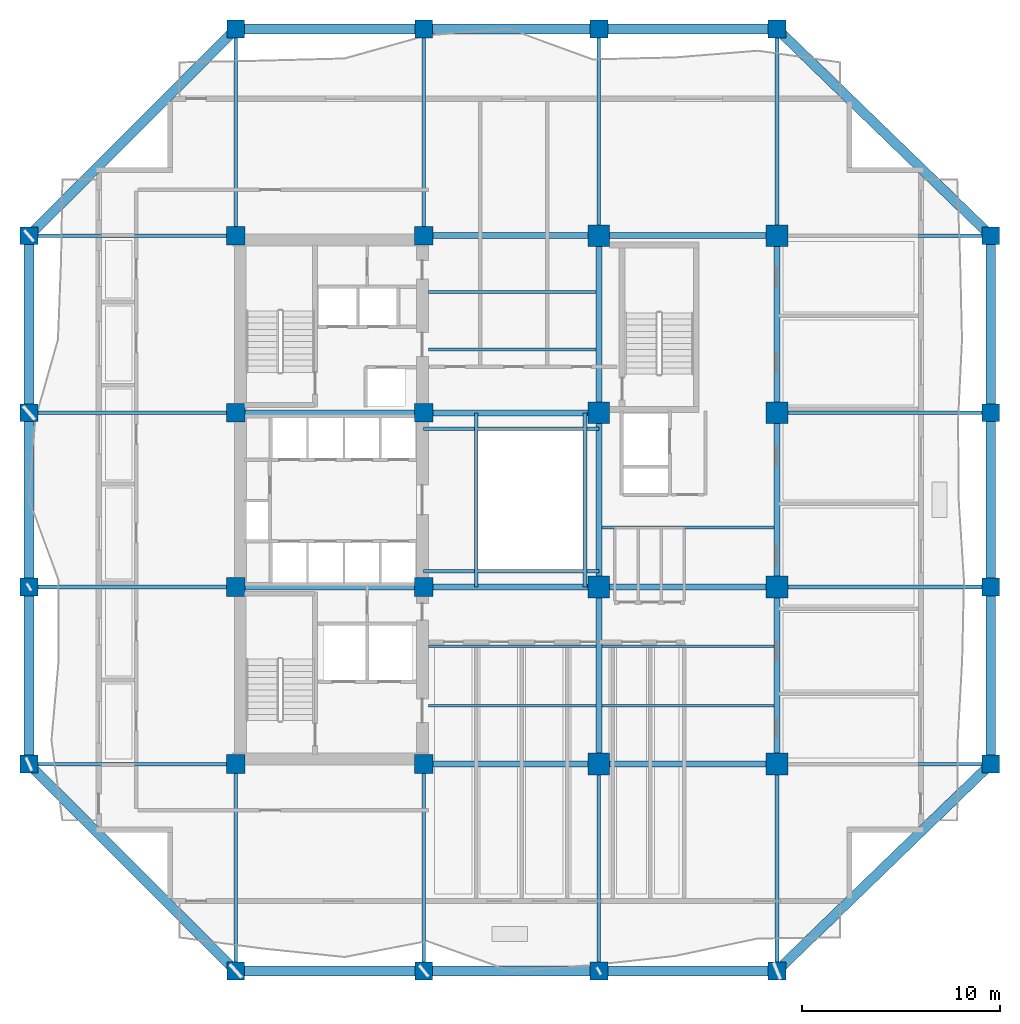
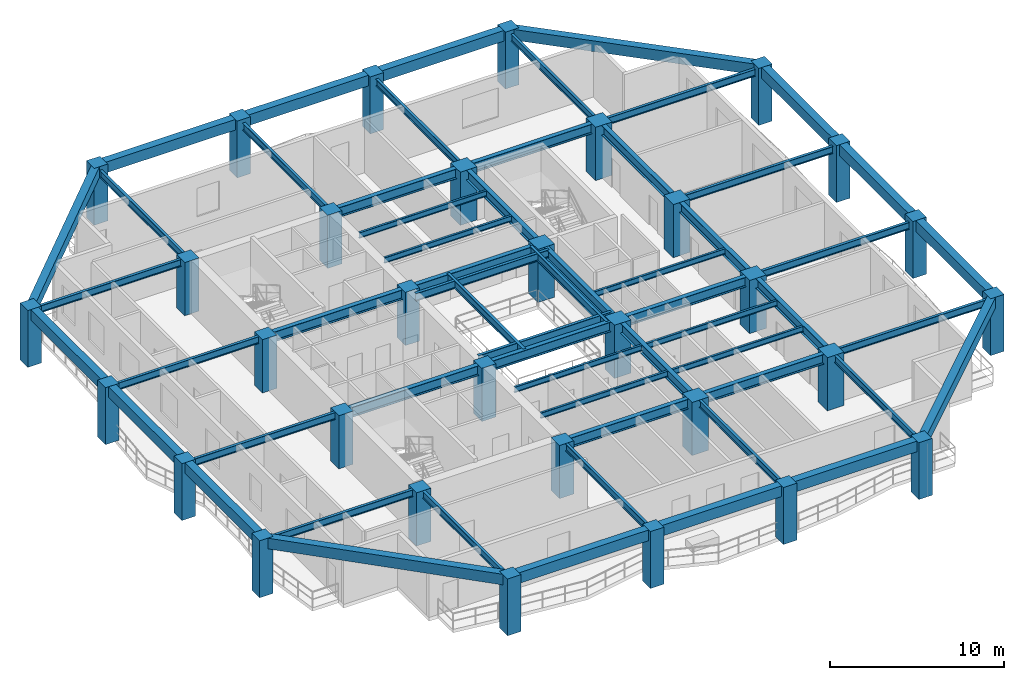
# One storey, part 1 of 11: 58 beams, 32 columns.
"""IFC4 building model written with IfcOpenShell, lengths in metres."""

from ifc_helpers import new_model, si_unit, direction, frame, origin, origin_2d, place, context, subcontext, project, spatial, rectangle, i_section, extrude, material, material_profile, profile_set, type_object, element, save


model = new_model("IFC4")

# Units and contexts
model_context = context("Model", 3, precision=1e-05, world=origin(), true_north=direction((0.0, 1.0)))
body_context = subcontext(model_context, "Body", "Model", "MODEL_VIEW")
ifc_project = project(units=[si_unit("LENGTHUNIT", "METRE"), si_unit("AREAUNIT", "SQUARE_METRE"), si_unit("VOLUMEUNIT", "CUBIC_METRE"), si_unit("PLANEANGLEUNIT", "RADIAN"), si_unit("MASSUNIT", "GRAM", prefix="KILO")], contexts=[model_context])

# Site, building, storey
site_placement = place(None, origin())
site = spatial("IfcSite", under=ifc_project, at=site_placement, CompositionType="ELEMENT")
building_placement = place(site_placement, origin())
building = spatial("IfcBuilding", under=site, at=building_placement, Name="Kundavana Baori Tower", CompositionType="ELEMENT")
storey_placement = place(building_placement, frame((0.0, 0.0, 82.0)))
storey = spatial("IfcBuildingStorey", under=building, at=storey_placement, Name="L19", CompositionType="ELEMENT", Elevation=82.0)

# Columns
ifc_material_1 = material(Name="Concrete C60/75", Category="concrete")
ifc_material_profile_1 = material_profile(ifc_material_1, rectangle(XDim=0.89990234375, YDim=0.89990234375, at=origin_2d()), Name="RC PF 900x900")
ifc_profile_set_1 = profile_set([ifc_material_profile_1], Name="Concrete C60/75")
column_type_1 = type_object("IfcColumnType", Name="COL-PF-900", PredefinedType="COLUMN", material=ifc_profile_set_1)
for number, where, z_axis, x_axis, name in (
    (1, (15.449951171875, 4.800048828125, 0.0), (0.0, 0.0, 1.0), (1.0, 0.0, 0.0), "L19 Stone-Clad Perimeter Frame Column PF-S1"),
    (2, (15.449951171875, 52.39990234375, 0.0), (0.0, 0.0, 1.0), (1.0, 0.0, 0.0), "L19 Stone-Clad Perimeter Frame Column PF-N1"),
    (3, (24.949951171875, 4.800048828125, 0.0), (0.0, 0.0, 1.0), (1.0, 0.0, 0.0), "L19 Stone-Clad Perimeter Frame Column PF-S2"),
    (4, (24.949951171875, 52.39990234375, 0.0), (0.0, 0.0, 1.0), (1.0, 0.0, 0.0), "L19 Stone-Clad Perimeter Frame Column PF-N2"),
    (5, (33.800048828125, 4.800048828125, 0.0), (0.0, 0.0, 1.0), (1.0, 0.0, 0.0), "L19 Stone-Clad Perimeter Frame Column PF-S3"),
    (6, (33.800048828125, 52.39990234375, 0.0), (0.0, 0.0, 1.0), (1.0, 0.0, 0.0), "L19 Stone-Clad Perimeter Frame Column PF-N3"),
    (7, (42.800048828125, 4.800048828125, 0.0), (0.0, 0.0, 1.0), (1.0, 0.0, 0.0), "L19 Stone-Clad Perimeter Frame Column PF-S4"),
    (8, (42.800048828125, 52.39990234375, 0.0), (0.0, 0.0, 1.0), (1.0, 0.0, 0.0), "L19 Stone-Clad Perimeter Frame Column PF-N4"),
    (9, (5.0, 15.25, 0.0), (0.0, 0.0, 1.0), (1.0, 0.0, 0.0), "L19 Stone-Clad Perimeter Frame Column PF-W1"),
    (10, (53.60009765625, 15.25, 0.0), (0.0, 0.0, 1.0), (1.0, 0.0, 0.0), "L19 Stone-Clad Perimeter Frame Column PF-E1"),
    (11, (5.0, 24.199951171875, 0.0), (0.0, 0.0, 1.0), (1.0, 0.0, 0.0), "L19 Stone-Clad Perimeter Frame Column PF-W2"),
    (12, (53.60009765625, 24.199951171875, 0.0), (0.0, 0.0, 1.0), (1.0, 0.0, 0.0), "L19 Stone-Clad Perimeter Frame Column PF-E2"),
    (13, (5.0, 33.0, 0.0), (0.0, 0.0, 1.0), (1.0, 0.0, 0.0), "L19 Stone-Clad Perimeter Frame Column PF-W3"),
    (14, (53.60009765625, 33.0, 0.0), (0.0, 0.0, 1.0), (1.0, 0.0, 0.0), "L19 Stone-Clad Perimeter Frame Column PF-E3"),
    (15, (5.0, 41.949951171875, 0.0), (0.0, 0.0, 1.0), (1.0, 0.0, 0.0), "L19 Stone-Clad Perimeter Frame Column PF-W4"),
    (16, (53.60009765625, 41.949951171875, 0.0), (0.0, 0.0, 1.0), (1.0, 0.0, 0.0), "L19 Stone-Clad Perimeter Frame Column PF-E4"),
):
    element("IfcColumn", number, at=place(storey_placement, frame(where, z_axis=z_axis, x_axis=x_axis)), inside=storey, type_object=column_type_1, Name=name, PredefinedType="COLUMN", context=body_context, shape_type="SweptSolid", body=[
        extrude(rectangle(XDim=0.89990234375, YDim=0.89990234375, at=origin_2d()), origin(), (0.0, 0.0, 1.0), 4.0),
    ])
ifc_material_2 = material(Name="Concrete C60/75", Category="concrete")
ifc_material_profile_2 = material_profile(ifc_material_2, rectangle(XDim=1.10009765625, YDim=1.10009765625, at=origin_2d()), Name="RC 1100x1100")
ifc_profile_set_2 = profile_set([ifc_material_profile_2], Name="Concrete C60/75")
column_type_2 = type_object("IfcColumnType", Name="COL-RC-1100", PredefinedType="COLUMN", material=ifc_profile_set_2)
for number, where, z_axis, x_axis, name in (
    (17, (33.800048828125, 15.25, 0.0), (0.0, 0.0, 1.0), (1.0, 0.0, 0.0), "L19 Interior Column IC-5C"),
    (18, (33.800048828125, 24.199951171875, 0.0), (0.0, 0.0, 1.0), (1.0, 0.0, 0.0), "L19 Interior Column IC-5D"),
    (19, (33.800048828125, 33.0, 0.0), (0.0, 0.0, 1.0), (1.0, 0.0, 0.0), "L19 Interior Column IC-5E"),
    (20, (33.800048828125, 41.949951171875, 0.0), (0.0, 0.0, 1.0), (1.0, 0.0, 0.0), "L19 Interior Column IC-5F"),
    (21, (42.800048828125, 15.25, 0.0), (0.0, 0.0, 1.0), (1.0, 0.0, 0.0), "L19 Interior Column IC-6C"),
    (22, (42.800048828125, 24.199951171875, 0.0), (0.0, 0.0, 1.0), (1.0, 0.0, 0.0), "L19 Interior Column IC-6D"),
    (23, (42.800048828125, 33.0, 0.0), (0.0, 0.0, 1.0), (1.0, 0.0, 0.0), "L19 Interior Column IC-6E"),
    (24, (42.800048828125, 41.949951171875, 0.0), (0.0, 0.0, 1.0), (1.0, 0.0, 0.0), "L19 Interior Column IC-6F"),
):
    element("IfcColumn", number, at=place(storey_placement, frame(where, z_axis=z_axis, x_axis=x_axis)), inside=storey, type_object=column_type_2, Name=name, PredefinedType="COLUMN", context=body_context, shape_type="SweptSolid", body=[
        extrude(rectangle(XDim=1.10009765625, YDim=1.10009765625, at=origin_2d()), origin(), (0.0, 0.0, 1.0), 3.739990234375),
    ])
ifc_material_3 = material(Name="Concrete C50/60", Category="concrete")
ifc_material_profile_3 = material_profile(ifc_material_3, rectangle(XDim=0.949951171875, YDim=0.949951171875, at=origin_2d()), Name="RC 950x950")
ifc_profile_set_3 = profile_set([ifc_material_profile_3], Name="Concrete C50/60")
column_type_3 = type_object("IfcColumnType", Name="COL-RC-950", PredefinedType="COLUMN", material=ifc_profile_set_3)
for number, where, z_axis, x_axis, name in (
    (25, (15.449951171875, 15.25, 0.0), (0.0, 0.0, 1.0), (1.0, 0.0, 0.0), "L19 Interior Column IC-3C"),
    (26, (15.449951171875, 24.199951171875, 0.0), (0.0, 0.0, 1.0), (1.0, 0.0, 0.0), "L19 Interior Column IC-3D"),
    (27, (15.449951171875, 33.0, 0.0), (0.0, 0.0, 1.0), (1.0, 0.0, 0.0), "L19 Interior Column IC-3E"),
    (28, (15.449951171875, 41.949951171875, 0.0), (0.0, 0.0, 1.0), (1.0, 0.0, 0.0), "L19 Interior Column IC-3F"),
    (29, (24.949951171875, 15.25, 0.0), (0.0, 0.0, 1.0), (1.0, 0.0, 0.0), "L19 Interior Column IC-4C"),
    (30, (24.949951171875, 24.199951171875, 0.0), (0.0, 0.0, 1.0), (1.0, 0.0, 0.0), "L19 Interior Column IC-4D"),
    (31, (24.949951171875, 33.0, 0.0), (0.0, 0.0, 1.0), (1.0, 0.0, 0.0), "L19 Interior Column IC-4E"),
    (32, (24.949951171875, 41.949951171875, 0.0), (0.0, 0.0, 1.0), (1.0, 0.0, 0.0), "L19 Interior Column IC-4F"),
):
    element("IfcColumn", number, at=place(storey_placement, frame(where, z_axis=z_axis, x_axis=x_axis)), inside=storey, type_object=column_type_3, Name=name, PredefinedType="COLUMN", context=body_context, shape_type="SweptSolid", body=[
        extrude(rectangle(XDim=0.949951171875, YDim=0.949951171875, at=origin_2d()), origin(), (0.0, 0.0, 1.0), 3.739990234375),
    ])

# Beams
ifc_material_4 = material(Name="Structural Steel S355JR", Category="steel")
ifc_material_profile_4 = material_profile(ifc_material_4, i_section(OverallWidth=0.139892578125, OverallDepth=0.39990234375, WebThickness=0.0087890625, FlangeThickness=0.01611328125, FilletRadius=0.013916015625, at=origin_2d()), Name="ISMB 400")
ifc_profile_set_4 = profile_set([ifc_material_profile_4], Name="Structural Steel S355JR")
beam_type_1 = type_object("IfcBeamType", Name="BM-JST-400", PredefinedType="JOIST", material=ifc_profile_set_4)
for number, where, z_axis, x_axis, name in (
    (33, (25.179931640625, 18.199951171875, 3.5400390625), (1.0, 0.0, 0.0), (0.0, 1.0, 0.0), "L19 Central Bay Composite Floor Joist C1"),
    (34, (25.179931640625, 21.199951171875, 3.5400390625), (1.0, 0.0, 0.0), (0.0, 1.0, 0.0), "L19 Central Bay Composite Floor Joist C2"),
    (35, (25.179931640625, 36.199951171875, 3.5400390625), (1.0, 0.0, 0.0), (0.0, 1.0, 0.0), "L19 Central Bay Composite Floor Joist C3"),
    (36, (25.179931640625, 39.10009765625, 3.5400390625), (1.0, 0.0, 0.0), (0.0, 1.0, 0.0), "L19 Central Bay Composite Floor Joist C4"),
):
    element("IfcBeam", number, at=place(storey_placement, frame(where, z_axis=z_axis, x_axis=x_axis)), inside=storey, type_object=beam_type_1, Name=name, PredefinedType="JOIST", context=body_context, shape_type="SweptSolid", body=[
        extrude(i_section(OverallWidth=0.139892578125, OverallDepth=0.39990234375, WebThickness=0.0087890625, FlangeThickness=0.01611328125, FilletRadius=0.013916015625, at=origin_2d()), origin(), (0.0, 0.0, 1.0), 8.469970703125),
    ])
for number, where, z_axis, x_axis, name in (
    (37, (33.949951171875, 18.199951171875, 3.5400390625), (1.0, 0.0, 0.0), (0.0, 1.0, 0.0), "L19 East Bay Composite Floor Joist E1"),
    (38, (33.949951171875, 21.199951171875, 3.5400390625), (1.0, 0.0, 0.0), (0.0, 1.0, 0.0), "L19 East Bay Composite Floor Joist E2"),
    (39, (33.949951171875, 27.199951171875, 3.5400390625), (1.0, 0.0, 0.0), (0.0, 1.0, 0.0), "L19 East Bay Composite Floor Joist E3"),
):
    element("IfcBeam", number, at=place(storey_placement, frame(where, z_axis=z_axis, x_axis=x_axis)), inside=storey, type_object=beam_type_1, Name=name, PredefinedType="JOIST", context=body_context, shape_type="SweptSolid", body=[
        extrude(i_section(OverallWidth=0.139892578125, OverallDepth=0.39990234375, WebThickness=0.0087890625, FlangeThickness=0.01611328125, FilletRadius=0.013916015625, at=origin_2d()), origin(), (0.0, 0.0, 1.0), 8.699951171875),
    ])
ifc_material_5 = material(Name="Concrete C50/60", Category="concrete")
ifc_material_profile_5 = material_profile(ifc_material_5, rectangle(XDim=0.5, YDim=0.75, at=origin_2d()), Name="RC BM 500x750")
ifc_profile_set_5 = profile_set([ifc_material_profile_5], Name="Concrete C50/60")
beam_type_2 = type_object("IfcBeamType", Name="BM-PF-750", PredefinedType="SPANDREL", material=ifc_profile_set_5)
beam_1_placement = place(storey_placement, frame((15.449951171875, 4.800048828125, 3.625), z_axis=(1.0, 0.0, 0.0), x_axis=(0.0, 1.0, 0.0)))
element("IfcBeam", 40, at=beam_1_placement, inside=storey, type_object=beam_type_2, Name="L19 Perimeter Frame Ring Beam S1", PredefinedType="SPANDREL", context=body_context, shape_type="SweptSolid", body=[
    extrude(rectangle(XDim=0.5, YDim=0.75, at=origin_2d()), origin(), (0.0, 0.0, 1.0), 9.5),
])
beam_2_placement = place(storey_placement, frame((24.949951171875, 4.800048828125, 3.625), z_axis=(1.0, 0.0, 0.0), x_axis=(0.0, 1.0, 0.0)))
element("IfcBeam", 41, at=beam_2_placement, inside=storey, type_object=beam_type_2, Name="L19 Perimeter Frame Ring Beam S2", PredefinedType="SPANDREL", context=body_context, shape_type="SweptSolid", body=[
    extrude(rectangle(XDim=0.5, YDim=0.75, at=origin_2d()), origin(), (0.0, 0.0, 1.0), 8.85009765625),
])
beam_3_placement = place(storey_placement, frame((33.800048828125, 4.800048828125, 3.625), z_axis=(1.0, 0.0, 0.0), x_axis=(0.0, 1.0, 0.0)))
element("IfcBeam", 42, at=beam_3_placement, inside=storey, type_object=beam_type_2, Name="L19 Perimeter Frame Ring Beam S3", PredefinedType="SPANDREL", context=body_context, shape_type="SweptSolid", body=[
    extrude(rectangle(XDim=0.5, YDim=0.75, at=origin_2d()), origin(), (0.0, 0.0, 1.0), 9.0),
])
beam_4_placement = place(storey_placement, frame((15.449951171875, 52.39990234375, 3.625), z_axis=(1.0, 0.0, 0.0), x_axis=(0.0, 1.0, 0.0)))
element("IfcBeam", 43, at=beam_4_placement, inside=storey, type_object=beam_type_2, Name="L19 Perimeter Frame Ring Beam N1", PredefinedType="SPANDREL", context=body_context, shape_type="SweptSolid", body=[
    extrude(rectangle(XDim=0.5, YDim=0.75, at=origin_2d()), origin(), (0.0, 0.0, 1.0), 9.5),
])
beam_5_placement = place(storey_placement, frame((24.949951171875, 52.39990234375, 3.625), z_axis=(1.0, 0.0, 0.0), x_axis=(0.0, 1.0, 0.0)))
element("IfcBeam", 44, at=beam_5_placement, inside=storey, type_object=beam_type_2, Name="L19 Perimeter Frame Ring Beam N2", PredefinedType="SPANDREL", context=body_context, shape_type="SweptSolid", body=[
    extrude(rectangle(XDim=0.5, YDim=0.75, at=origin_2d()), origin(), (0.0, 0.0, 1.0), 8.85009765625),
])
beam_6_placement = place(storey_placement, frame((33.800048828125, 52.39990234375, 3.625), z_axis=(1.0, 0.0, 0.0), x_axis=(0.0, 1.0, 0.0)))
element("IfcBeam", 45, at=beam_6_placement, inside=storey, type_object=beam_type_2, Name="L19 Perimeter Frame Ring Beam N3", PredefinedType="SPANDREL", context=body_context, shape_type="SweptSolid", body=[
    extrude(rectangle(XDim=0.5, YDim=0.75, at=origin_2d()), origin(), (0.0, 0.0, 1.0), 9.0),
])
beam_7_placement = place(storey_placement, frame((5.0, 15.25, 3.625), z_axis=(0.0, 1.0, 0.0), x_axis=(-1.0, 0.0, 0.0)))
element("IfcBeam", 46, at=beam_7_placement, inside=storey, type_object=beam_type_2, Name="L19 Perimeter Frame Ring Beam W1", PredefinedType="SPANDREL", context=body_context, shape_type="SweptSolid", body=[
    extrude(rectangle(XDim=0.5, YDim=0.75, at=origin_2d()), origin(), (0.0, 0.0, 1.0), 8.949951171875),
])
beam_8_placement = place(storey_placement, frame((5.0, 24.199951171875, 3.625), z_axis=(0.0, 1.0, 0.0), x_axis=(-1.0, 0.0, 0.0)))
element("IfcBeam", 47, at=beam_8_placement, inside=storey, type_object=beam_type_2, Name="L19 Perimeter Frame Ring Beam W2", PredefinedType="SPANDREL", context=body_context, shape_type="SweptSolid", body=[
    extrude(rectangle(XDim=0.5, YDim=0.75, at=origin_2d()), origin(), (0.0, 0.0, 1.0), 8.800048828125),
])
for number, where, z_axis, x_axis, name in (
    (48, (5.0, 33.0, 3.625), (0.0, 1.0, 0.0), (-1.0, 0.0, 0.0), "L19 Perimeter Frame Ring Beam W3"),
    (49, (53.60009765625, 15.25, 3.625), (0.0, 1.0, 0.0), (-1.0, 0.0, 0.0), "L19 Perimeter Frame Ring Beam E1"),
):
    element("IfcBeam", number, at=place(storey_placement, frame(where, z_axis=z_axis, x_axis=x_axis)), inside=storey, type_object=beam_type_2, Name=name, PredefinedType="SPANDREL", context=body_context, shape_type="SweptSolid", body=[
        extrude(rectangle(XDim=0.5, YDim=0.75, at=origin_2d()), origin(), (0.0, 0.0, 1.0), 8.949951171875),
    ])
beam_9_placement = place(storey_placement, frame((53.60009765625, 24.199951171875, 3.625), z_axis=(0.0, 1.0, 0.0), x_axis=(-1.0, 0.0, 0.0)))
element("IfcBeam", 50, at=beam_9_placement, inside=storey, type_object=beam_type_2, Name="L19 Perimeter Frame Ring Beam E2", PredefinedType="SPANDREL", context=body_context, shape_type="SweptSolid", body=[
    extrude(rectangle(XDim=0.5, YDim=0.75, at=origin_2d()), origin(), (0.0, 0.0, 1.0), 8.800048828125),
])
beam_10_placement = place(storey_placement, frame((53.60009765625, 33.0, 3.625), z_axis=(0.0, 1.0, 0.0), x_axis=(-1.0, 0.0, 0.0)))
element("IfcBeam", 51, at=beam_10_placement, inside=storey, type_object=beam_type_2, Name="L19 Perimeter Frame Ring Beam E3", PredefinedType="SPANDREL", context=body_context, shape_type="SweptSolid", body=[
    extrude(rectangle(XDim=0.5, YDim=0.75, at=origin_2d()), origin(), (0.0, 0.0, 1.0), 8.949951171875),
])
beam_11_placement = place(storey_placement, frame((15.449951171875, 4.800048828125, 3.625), z_axis=(-0.707106781187, 0.707106781187, 0.0), x_axis=(-0.707106781187, -0.707106781187, 0.0)))
element("IfcBeam", 52, at=beam_11_placement, inside=storey, type_object=beam_type_2, Name="L19 Notched Corner Perimeter Beam SW", PredefinedType="SPANDREL", context=body_context, shape_type="SweptSolid", body=[
    extrude(rectangle(XDim=0.5, YDim=0.75, at=origin_2d()), origin(), (0.0, 0.0, 1.0), 14.778564453125),
])
beam_12_placement = place(storey_placement, frame((42.800048828125, 4.800048828125, 3.625), z_axis=(0.718658968601, 0.695362701653, 0.0), x_axis=(-0.695362701653, 0.718658968601, 0.0)))
element("IfcBeam", 53, at=beam_12_placement, inside=storey, type_object=beam_type_2, Name="L19 Notched Corner Perimeter Beam SE", PredefinedType="SPANDREL", context=body_context, shape_type="SweptSolid", body=[
    extrude(rectangle(XDim=0.5, YDim=0.75, at=origin_2d()), origin(), (0.0, 0.0, 1.0), 15.028076171875),
])
beam_13_placement = place(storey_placement, frame((15.449951171875, 52.39990234375, 3.625), z_axis=(-0.707106781187, -0.707106781187, 0.0), x_axis=(0.707106781187, -0.707106781187, 0.0)))
element("IfcBeam", 54, at=beam_13_placement, inside=storey, type_object=beam_type_2, Name="L19 Notched Corner Perimeter Beam NW", PredefinedType="SPANDREL", context=body_context, shape_type="SweptSolid", body=[
    extrude(rectangle(XDim=0.5, YDim=0.75, at=origin_2d()), origin(), (0.0, 0.0, 1.0), 14.778564453125),
])
beam_14_placement = place(storey_placement, frame((42.800048828125, 52.39990234375, 3.625), z_axis=(0.718658968601, -0.695362701653, 0.0), x_axis=(0.695362701653, 0.718658968601, 0.0)))
element("IfcBeam", 55, at=beam_14_placement, inside=storey, type_object=beam_type_2, Name="L19 Notched Corner Perimeter Beam NE", PredefinedType="SPANDREL", context=body_context, shape_type="SweptSolid", body=[
    extrude(rectangle(XDim=0.5, YDim=0.75, at=origin_2d()), origin(), (0.0, 0.0, 1.0), 15.028076171875),
])
ifc_material_6 = material(Name="Structural Steel S355JR", Category="steel")
ifc_material_profile_6 = material_profile(ifc_material_6, i_section(OverallWidth=0.18994140625, OverallDepth=0.550048828125, WebThickness=0.01123046875, FlangeThickness=0.019287109375, FilletRadius=0.01806640625, at=origin_2d()), Name="ISMB 550")
ifc_profile_set_6 = profile_set([ifc_material_profile_6], Name="Structural Steel S355JR")
beam_type_3 = type_object("IfcBeamType", Name="BM-ST-550", PredefinedType="BEAM", material=ifc_profile_set_6)
for number, where, z_axis, x_axis, name in (
    (56, (27.60009765625, 24.199951171875, 3.465087890625), (0.0, 1.0, 0.0), (-1.0, 0.0, 0.0), "L19 Atrium West Edge Beam"),
    (57, (33.10009765625, 24.199951171875, 3.465087890625), (0.0, 1.0, 0.0), (-1.0, 0.0, 0.0), "L19 Atrium East Edge Beam"),
):
    element("IfcBeam", number, at=place(storey_placement, frame(where, z_axis=z_axis, x_axis=x_axis)), inside=storey, type_object=beam_type_3, Name=name, PredefinedType="BEAM", context=body_context, shape_type="SweptSolid", body=[
        extrude(i_section(OverallWidth=0.18994140625, OverallDepth=0.550048828125, WebThickness=0.01123046875, FlangeThickness=0.019287109375, FilletRadius=0.01806640625, at=origin_2d()), origin(), (0.0, 0.0, 1.0), 8.800048828125),
    ])
for number, where, z_axis, x_axis, name in (
    (58, (24.949951171875, 25.0, 3.465087890625), (1.0, 0.0, 0.0), (0.0, 1.0, 0.0), "L19 Atrium South Edge Beam"),
    (59, (24.949951171875, 32.199951171875, 3.465087890625), (1.0, 0.0, 0.0), (0.0, 1.0, 0.0), "L19 Atrium North Edge Beam"),
):
    element("IfcBeam", number, at=place(storey_placement, frame(where, z_axis=z_axis, x_axis=x_axis)), inside=storey, type_object=beam_type_3, Name=name, PredefinedType="BEAM", context=body_context, shape_type="SweptSolid", body=[
        extrude(i_section(OverallWidth=0.18994140625, OverallDepth=0.550048828125, WebThickness=0.01123046875, FlangeThickness=0.019287109375, FilletRadius=0.01806640625, at=origin_2d()), origin(), (0.0, 0.0, 1.0), 8.85009765625),
    ])
ifc_material_7 = material(Name="Structural Steel S355JR", Category="steel")
ifc_material_profile_7 = material_profile(ifc_material_7, i_section(OverallWidth=0.300048828125, OverallDepth=0.699951171875, WebThickness=0.014404296875, FlangeThickness=0.02392578125, FilletRadius=0.02392578125, at=origin_2d()), Name="NPB 700x300x170")
ifc_profile_set_7 = profile_set([ifc_material_profile_7], Name="Structural Steel S355JR")
beam_type_4 = type_object("IfcBeamType", Name="BM-ST-700", PredefinedType="BEAM", material=ifc_profile_set_7)
beam_15_placement = place(storey_placement, frame((24.949951171875, 15.25, 3.389892578125), z_axis=(1.0, 0.0, 0.0), x_axis=(0.0, 1.0, 0.0)))
element("IfcBeam", 60, at=beam_15_placement, inside=storey, type_object=beam_type_4, Name="L19 Primary Grid Girder GX-1-2", PredefinedType="BEAM", context=body_context, shape_type="SweptSolid", body=[
    extrude(i_section(OverallWidth=0.300048828125, OverallDepth=0.699951171875, WebThickness=0.014404296875, FlangeThickness=0.02392578125, FilletRadius=0.02392578125, at=origin_2d()), origin(), (0.0, 0.0, 1.0), 8.85009765625),
])
beam_16_placement = place(storey_placement, frame((33.800048828125, 15.25, 3.389892578125), z_axis=(1.0, 0.0, 0.0), x_axis=(0.0, 1.0, 0.0)))
element("IfcBeam", 61, at=beam_16_placement, inside=storey, type_object=beam_type_4, Name="L19 Primary Grid Girder GX-1-3", PredefinedType="BEAM", context=body_context, shape_type="SweptSolid", body=[
    extrude(i_section(OverallWidth=0.300048828125, OverallDepth=0.699951171875, WebThickness=0.014404296875, FlangeThickness=0.02392578125, FilletRadius=0.02392578125, at=origin_2d()), origin(), (0.0, 0.0, 1.0), 9.0),
])
beam_17_placement = place(storey_placement, frame((15.449951171875, 24.199951171875, 3.389892578125), z_axis=(1.0, 0.0, 0.0), x_axis=(0.0, 1.0, 0.0)))
element("IfcBeam", 62, at=beam_17_placement, inside=storey, type_object=beam_type_4, Name="L19 Primary Grid Girder GX-2-1", PredefinedType="BEAM", context=body_context, shape_type="SweptSolid", body=[
    extrude(i_section(OverallWidth=0.300048828125, OverallDepth=0.699951171875, WebThickness=0.014404296875, FlangeThickness=0.02392578125, FilletRadius=0.02392578125, at=origin_2d()), origin(), (0.0, 0.0, 1.0), 9.5),
])
beam_18_placement = place(storey_placement, frame((24.949951171875, 24.199951171875, 3.389892578125), z_axis=(1.0, 0.0, 0.0), x_axis=(0.0, 1.0, 0.0)))
element("IfcBeam", 63, at=beam_18_placement, inside=storey, type_object=beam_type_4, Name="L19 Primary Grid Girder GX-2-2", PredefinedType="BEAM", context=body_context, shape_type="SweptSolid", body=[
    extrude(i_section(OverallWidth=0.300048828125, OverallDepth=0.699951171875, WebThickness=0.014404296875, FlangeThickness=0.02392578125, FilletRadius=0.02392578125, at=origin_2d()), origin(), (0.0, 0.0, 1.0), 8.85009765625),
])
beam_19_placement = place(storey_placement, frame((33.800048828125, 24.199951171875, 3.389892578125), z_axis=(1.0, 0.0, 0.0), x_axis=(0.0, 1.0, 0.0)))
element("IfcBeam", 64, at=beam_19_placement, inside=storey, type_object=beam_type_4, Name="L19 Primary Grid Girder GX-2-3", PredefinedType="BEAM", context=body_context, shape_type="SweptSolid", body=[
    extrude(i_section(OverallWidth=0.300048828125, OverallDepth=0.699951171875, WebThickness=0.014404296875, FlangeThickness=0.02392578125, FilletRadius=0.02392578125, at=origin_2d()), origin(), (0.0, 0.0, 1.0), 9.0),
])
beam_20_placement = place(storey_placement, frame((15.449951171875, 33.0, 3.389892578125), z_axis=(1.0, 0.0, 0.0), x_axis=(0.0, 1.0, 0.0)))
element("IfcBeam", 65, at=beam_20_placement, inside=storey, type_object=beam_type_4, Name="L19 Primary Grid Girder GX-3-1", PredefinedType="BEAM", context=body_context, shape_type="SweptSolid", body=[
    extrude(i_section(OverallWidth=0.300048828125, OverallDepth=0.699951171875, WebThickness=0.014404296875, FlangeThickness=0.02392578125, FilletRadius=0.02392578125, at=origin_2d()), origin(), (0.0, 0.0, 1.0), 9.5),
])
for number, where, z_axis, x_axis, name in (
    (66, (24.949951171875, 33.0, 3.389892578125), (1.0, 0.0, 0.0), (0.0, 1.0, 0.0), "L19 Primary Grid Girder GX-3-2"),
    (67, (24.949951171875, 41.949951171875, 3.389892578125), (1.0, 0.0, 0.0), (0.0, 1.0, 0.0), "L19 Primary Grid Girder GX-4-2"),
):
    element("IfcBeam", number, at=place(storey_placement, frame(where, z_axis=z_axis, x_axis=x_axis)), inside=storey, type_object=beam_type_4, Name=name, PredefinedType="BEAM", context=body_context, shape_type="SweptSolid", body=[
        extrude(i_section(OverallWidth=0.300048828125, OverallDepth=0.699951171875, WebThickness=0.014404296875, FlangeThickness=0.02392578125, FilletRadius=0.02392578125, at=origin_2d()), origin(), (0.0, 0.0, 1.0), 8.85009765625),
    ])
beam_21_placement = place(storey_placement, frame((33.800048828125, 41.949951171875, 3.389892578125), z_axis=(1.0, 0.0, 0.0), x_axis=(0.0, 1.0, 0.0)))
element("IfcBeam", 68, at=beam_21_placement, inside=storey, type_object=beam_type_4, Name="L19 Primary Grid Girder GX-4-3", PredefinedType="BEAM", context=body_context, shape_type="SweptSolid", body=[
    extrude(i_section(OverallWidth=0.300048828125, OverallDepth=0.699951171875, WebThickness=0.014404296875, FlangeThickness=0.02392578125, FilletRadius=0.02392578125, at=origin_2d()), origin(), (0.0, 0.0, 1.0), 9.0),
])
beam_22_placement = place(storey_placement, frame((33.800048828125, 15.25, 3.389892578125), z_axis=(0.0, 1.0, 0.0), x_axis=(-1.0, 0.0, 0.0)))
element("IfcBeam", 69, at=beam_22_placement, inside=storey, type_object=beam_type_4, Name="L19 Primary Grid Girder GY-3-1", PredefinedType="BEAM", context=body_context, shape_type="SweptSolid", body=[
    extrude(i_section(OverallWidth=0.300048828125, OverallDepth=0.699951171875, WebThickness=0.014404296875, FlangeThickness=0.02392578125, FilletRadius=0.02392578125, at=origin_2d()), origin(), (0.0, 0.0, 1.0), 8.949951171875),
])
beam_23_placement = place(storey_placement, frame((33.800048828125, 24.199951171875, 3.389892578125), z_axis=(0.0, 1.0, 0.0), x_axis=(-1.0, 0.0, 0.0)))
element("IfcBeam", 70, at=beam_23_placement, inside=storey, type_object=beam_type_4, Name="L19 Primary Grid Girder GY-3-2", PredefinedType="BEAM", context=body_context, shape_type="SweptSolid", body=[
    extrude(i_section(OverallWidth=0.300048828125, OverallDepth=0.699951171875, WebThickness=0.014404296875, FlangeThickness=0.02392578125, FilletRadius=0.02392578125, at=origin_2d()), origin(), (0.0, 0.0, 1.0), 8.800048828125),
])
for number, where, z_axis, x_axis, name in (
    (71, (33.800048828125, 33.0, 3.389892578125), (0.0, 1.0, 0.0), (-1.0, 0.0, 0.0), "L19 Primary Grid Girder GY-3-3"),
    (72, (42.800048828125, 15.25, 3.389892578125), (0.0, 1.0, 0.0), (-1.0, 0.0, 0.0), "L19 Primary Grid Girder GY-4-1"),
):
    element("IfcBeam", number, at=place(storey_placement, frame(where, z_axis=z_axis, x_axis=x_axis)), inside=storey, type_object=beam_type_4, Name=name, PredefinedType="BEAM", context=body_context, shape_type="SweptSolid", body=[
        extrude(i_section(OverallWidth=0.300048828125, OverallDepth=0.699951171875, WebThickness=0.014404296875, FlangeThickness=0.02392578125, FilletRadius=0.02392578125, at=origin_2d()), origin(), (0.0, 0.0, 1.0), 8.949951171875),
    ])
beam_24_placement = place(storey_placement, frame((42.800048828125, 24.199951171875, 3.389892578125), z_axis=(0.0, 1.0, 0.0), x_axis=(-1.0, 0.0, 0.0)))
element("IfcBeam", 73, at=beam_24_placement, inside=storey, type_object=beam_type_4, Name="L19 Primary Grid Girder GY-4-2", PredefinedType="BEAM", context=body_context, shape_type="SweptSolid", body=[
    extrude(i_section(OverallWidth=0.300048828125, OverallDepth=0.699951171875, WebThickness=0.014404296875, FlangeThickness=0.02392578125, FilletRadius=0.02392578125, at=origin_2d()), origin(), (0.0, 0.0, 1.0), 8.800048828125),
])
beam_25_placement = place(storey_placement, frame((42.800048828125, 33.0, 3.389892578125), z_axis=(0.0, 1.0, 0.0), x_axis=(-1.0, 0.0, 0.0)))
element("IfcBeam", 74, at=beam_25_placement, inside=storey, type_object=beam_type_4, Name="L19 Primary Grid Girder GY-4-3", PredefinedType="BEAM", context=body_context, shape_type="SweptSolid", body=[
    extrude(i_section(OverallWidth=0.300048828125, OverallDepth=0.699951171875, WebThickness=0.014404296875, FlangeThickness=0.02392578125, FilletRadius=0.02392578125, at=origin_2d()), origin(), (0.0, 0.0, 1.0), 8.949951171875),
])
ifc_material_8 = material(Name="Structural Steel S355JR", Category="steel")
ifc_material_profile_8 = material_profile(ifc_material_8, i_section(OverallWidth=0.179931640625, OverallDepth=0.5, WebThickness=0.01025390625, FlangeThickness=0.01708984375, FilletRadius=0.01708984375, at=origin_2d()), Name="ISMB 500")
ifc_profile_set_8 = profile_set([ifc_material_profile_8], Name="Structural Steel S355JR")
beam_type_5 = type_object("IfcBeamType", Name="BM-TIE-500", PredefinedType="BEAM", material=ifc_profile_set_8)
for number, where, z_axis, x_axis, name in (
    (75, (15.449951171875, 15.25, 3.489990234375), (0.0, -1.0, 0.0), (1.0, 0.0, 0.0), "L19 South Radial Loggia Tie Beam S1"),
    (76, (15.449951171875, 41.949951171875, 3.489990234375), (0.0, 1.0, 0.0), (-1.0, 0.0, 0.0), "L19 North Radial Loggia Tie Beam N1"),
    (77, (24.949951171875, 15.25, 3.489990234375), (0.0, -1.0, 0.0), (1.0, 0.0, 0.0), "L19 South Radial Loggia Tie Beam S2"),
    (78, (24.949951171875, 41.949951171875, 3.489990234375), (0.0, 1.0, 0.0), (-1.0, 0.0, 0.0), "L19 North Radial Loggia Tie Beam N2"),
    (79, (33.800048828125, 15.25, 3.489990234375), (0.0, -1.0, 0.0), (1.0, 0.0, 0.0), "L19 South Radial Loggia Tie Beam S3"),
    (80, (33.800048828125, 41.949951171875, 3.489990234375), (0.0, 1.0, 0.0), (-1.0, 0.0, 0.0), "L19 North Radial Loggia Tie Beam N3"),
    (81, (42.800048828125, 15.25, 3.489990234375), (0.0, -1.0, 0.0), (1.0, 0.0, 0.0), "L19 South Radial Loggia Tie Beam S4"),
    (82, (42.800048828125, 41.949951171875, 3.489990234375), (0.0, 1.0, 0.0), (-1.0, 0.0, 0.0), "L19 North Radial Loggia Tie Beam N4"),
    (83, (15.449951171875, 15.25, 3.489990234375), (-1.0, 0.0, 0.0), (0.0, -1.0, 0.0), "L19 West Radial Loggia Tie Beam W1"),
):
    element("IfcBeam", number, at=place(storey_placement, frame(where, z_axis=z_axis, x_axis=x_axis)), inside=storey, type_object=beam_type_5, Name=name, PredefinedType="BEAM", context=body_context, shape_type="SweptSolid", body=[
        extrude(i_section(OverallWidth=0.179931640625, OverallDepth=0.5, WebThickness=0.01025390625, FlangeThickness=0.01708984375, FilletRadius=0.01708984375, at=origin_2d()), origin(), (0.0, 0.0, 1.0), 10.449951171875),
    ])
beam_26_placement = place(storey_placement, frame((42.800048828125, 15.25, 3.489990234375), z_axis=(1.0, 0.0, 0.0), x_axis=(0.0, 1.0, 0.0)))
element("IfcBeam", 84, at=beam_26_placement, inside=storey, type_object=beam_type_5, Name="L19 East Radial Loggia Tie Beam E1", PredefinedType="BEAM", context=body_context, shape_type="SweptSolid", body=[
    extrude(i_section(OverallWidth=0.179931640625, OverallDepth=0.5, WebThickness=0.01025390625, FlangeThickness=0.01708984375, FilletRadius=0.01708984375, at=origin_2d()), origin(), (0.0, 0.0, 1.0), 10.800048828125),
])
beam_27_placement = place(storey_placement, frame((15.449951171875, 24.199951171875, 3.489990234375), z_axis=(-1.0, 0.0, 0.0), x_axis=(0.0, -1.0, 0.0)))
element("IfcBeam", 85, at=beam_27_placement, inside=storey, type_object=beam_type_5, Name="L19 West Radial Loggia Tie Beam W2", PredefinedType="BEAM", context=body_context, shape_type="SweptSolid", body=[
    extrude(i_section(OverallWidth=0.179931640625, OverallDepth=0.5, WebThickness=0.01025390625, FlangeThickness=0.01708984375, FilletRadius=0.01708984375, at=origin_2d()), origin(), (0.0, 0.0, 1.0), 10.449951171875),
])
beam_28_placement = place(storey_placement, frame((42.800048828125, 24.199951171875, 3.489990234375), z_axis=(1.0, 0.0, 0.0), x_axis=(0.0, 1.0, 0.0)))
element("IfcBeam", 86, at=beam_28_placement, inside=storey, type_object=beam_type_5, Name="L19 East Radial Loggia Tie Beam E2", PredefinedType="BEAM", context=body_context, shape_type="SweptSolid", body=[
    extrude(i_section(OverallWidth=0.179931640625, OverallDepth=0.5, WebThickness=0.01025390625, FlangeThickness=0.01708984375, FilletRadius=0.01708984375, at=origin_2d()), origin(), (0.0, 0.0, 1.0), 10.800048828125),
])
beam_29_placement = place(storey_placement, frame((15.449951171875, 33.0, 3.489990234375), z_axis=(-1.0, 0.0, 0.0), x_axis=(0.0, -1.0, 0.0)))
element("IfcBeam", 87, at=beam_29_placement, inside=storey, type_object=beam_type_5, Name="L19 West Radial Loggia Tie Beam W3", PredefinedType="BEAM", context=body_context, shape_type="SweptSolid", body=[
    extrude(i_section(OverallWidth=0.179931640625, OverallDepth=0.5, WebThickness=0.01025390625, FlangeThickness=0.01708984375, FilletRadius=0.01708984375, at=origin_2d()), origin(), (0.0, 0.0, 1.0), 10.449951171875),
])
beam_30_placement = place(storey_placement, frame((42.800048828125, 33.0, 3.489990234375), z_axis=(1.0, 0.0, 0.0), x_axis=(0.0, 1.0, 0.0)))
element("IfcBeam", 88, at=beam_30_placement, inside=storey, type_object=beam_type_5, Name="L19 East Radial Loggia Tie Beam E3", PredefinedType="BEAM", context=body_context, shape_type="SweptSolid", body=[
    extrude(i_section(OverallWidth=0.179931640625, OverallDepth=0.5, WebThickness=0.01025390625, FlangeThickness=0.01708984375, FilletRadius=0.01708984375, at=origin_2d()), origin(), (0.0, 0.0, 1.0), 10.800048828125),
])
beam_31_placement = place(storey_placement, frame((15.449951171875, 41.949951171875, 3.489990234375), z_axis=(-1.0, 0.0, 0.0), x_axis=(0.0, -1.0, 0.0)))
element("IfcBeam", 89, at=beam_31_placement, inside=storey, type_object=beam_type_5, Name="L19 West Radial Loggia Tie Beam W4", PredefinedType="BEAM", context=body_context, shape_type="SweptSolid", body=[
    extrude(i_section(OverallWidth=0.179931640625, OverallDepth=0.5, WebThickness=0.01025390625, FlangeThickness=0.01708984375, FilletRadius=0.01708984375, at=origin_2d()), origin(), (0.0, 0.0, 1.0), 10.449951171875),
])
beam_32_placement = place(storey_placement, frame((42.800048828125, 41.949951171875, 3.489990234375), z_axis=(1.0, 0.0, 0.0), x_axis=(0.0, 1.0, 0.0)))
element("IfcBeam", 90, at=beam_32_placement, inside=storey, type_object=beam_type_5, Name="L19 East Radial Loggia Tie Beam E4", PredefinedType="BEAM", context=body_context, shape_type="SweptSolid", body=[
    extrude(i_section(OverallWidth=0.179931640625, OverallDepth=0.5, WebThickness=0.01025390625, FlangeThickness=0.01708984375, FilletRadius=0.01708984375, at=origin_2d()), origin(), (0.0, 0.0, 1.0), 10.800048828125),
])

save(model, "model.ifc")
